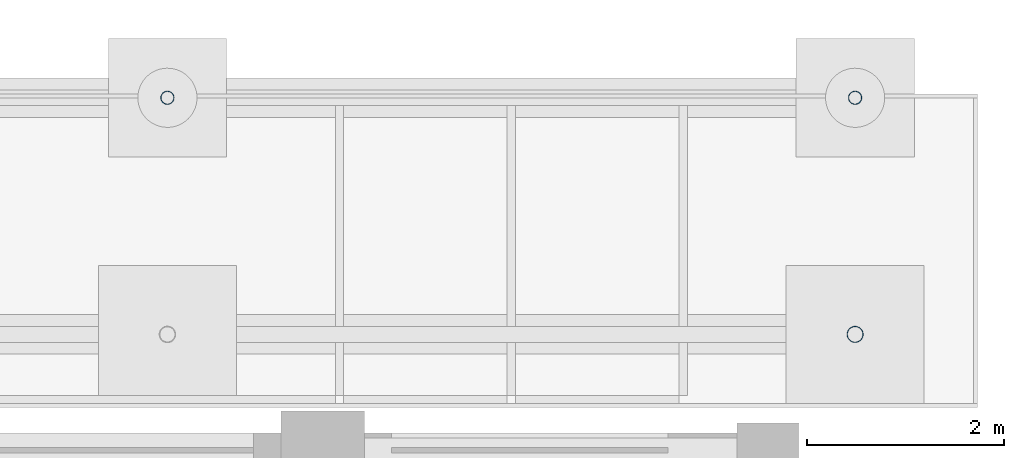
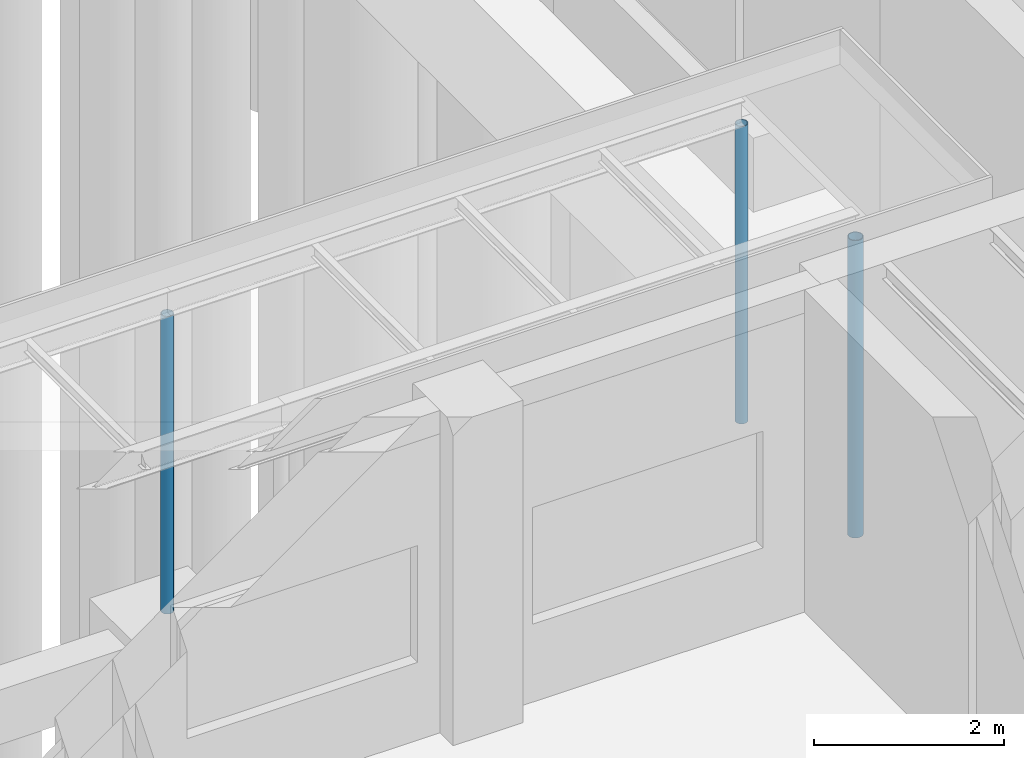
# One storey, part 20 of 138: 3 columns.
"""IFC4 building model written with IfcOpenShell, lengths in metres."""

from ifc_helpers import new_model, si_unit, direction, frame, origin, origin_2d, place, context, subcontext, project, spatial, hollow_circle, extrude, material, material_profile, profile_set, type_object, element, save


model = new_model("IFC4")

# Units and contexts
model_context = context("Model", 3, precision=1e-05, world=origin(), true_north=direction((0.0, 1.0)))
body_context = subcontext(model_context, "Body", "Model", "MODEL_VIEW")
ifc_project = project(units=[si_unit("LENGTHUNIT", "METRE"), si_unit("AREAUNIT", "SQUARE_METRE"), si_unit("VOLUMEUNIT", "CUBIC_METRE"), si_unit("PLANEANGLEUNIT", "RADIAN"), si_unit("MASSUNIT", "GRAM", prefix="KILO")], contexts=[model_context])

# Site, building, storey
site_placement = place(None, origin())
site = spatial("IfcSite", under=ifc_project, at=site_placement, CompositionType="ELEMENT")
building_placement = place(site_placement, origin())
building = spatial("IfcBuilding", under=site, at=building_placement, Name="Yavir Park General Hospital", CompositionType="ELEMENT")
storey_placement = place(building_placement, origin())
storey = spatial("IfcBuildingStorey", under=building, at=storey_placement, Name="L00", CompositionType="ELEMENT", Elevation=0.0)

# Columns
ifc_material_1 = material(Name="Steel S355", Category="steel")
ifc_material_profile_1 = material_profile(ifc_material_1, hollow_circle(Radius=0.06982421875, WallThickness=0.008056640625, at=origin_2d()), Name="CHS139.7x8")
ifc_profile_set_1 = profile_set([ifc_material_profile_1], Name="Steel S355")
column_type_1 = type_object("IfcColumnType", Name="CHS 139.7x8 outer column", PredefinedType="COLUMN", material=ifc_profile_set_1)
for number, where, z_axis, x_axis, name in (
    (1, (132.824951171875, 37.199951171875, -0.300048828125), (0.0, 0.0, 1.0), (1.0, 0.0, 0.0), "C:ARC2:13"),
    (2, (139.800048828125, 37.199951171875, -0.300048828125), (0.0, 0.0, 1.0), (1.0, 0.0, 0.0), "C:ARC2:14"),
):
    element("IfcColumn", number, at=place(storey_placement, frame(where, z_axis=z_axis, x_axis=x_axis)), inside=storey, type_object=column_type_1, Name=name, PredefinedType="COLUMN", context=body_context, shape_type="SweptSolid", body=[
        extrude(hollow_circle(Radius=0.06982421875, WallThickness=0.008056640625, at=origin_2d()), origin(), (0.0, 0.0, 1.0), 3.820068359375),
    ])
ifc_material_2 = material(Name="Steel S355", Category="steel")
ifc_material_profile_2 = material_profile(ifc_material_2, hollow_circle(Radius=0.084228515625, WallThickness=0.008056640625, at=origin_2d()), Name="CHS168.3x8")
ifc_profile_set_2 = profile_set([ifc_material_profile_2], Name="Steel S355")
column_type_2 = type_object("IfcColumnType", Name="CHS 168.3x8 column", PredefinedType="COLUMN", material=ifc_profile_set_2)
column_placement = place(storey_placement, frame((139.800048828125, 34.800048828125, -0.300048828125), z_axis=(0.0, 0.0, 1.0), x_axis=(1.0, 0.0, 0.0)))
element("IfcColumn", 3, at=column_placement, inside=storey, type_object=column_type_2, Name="C:ARC2:04", PredefinedType="COLUMN", context=body_context, shape_type="SweptSolid", body=[
    extrude(hollow_circle(Radius=0.084228515625, WallThickness=0.008056640625, at=origin_2d()), origin(), (0.0, 0.0, 1.0), 3.820068359375),
])

save(model, "model.ifc")
